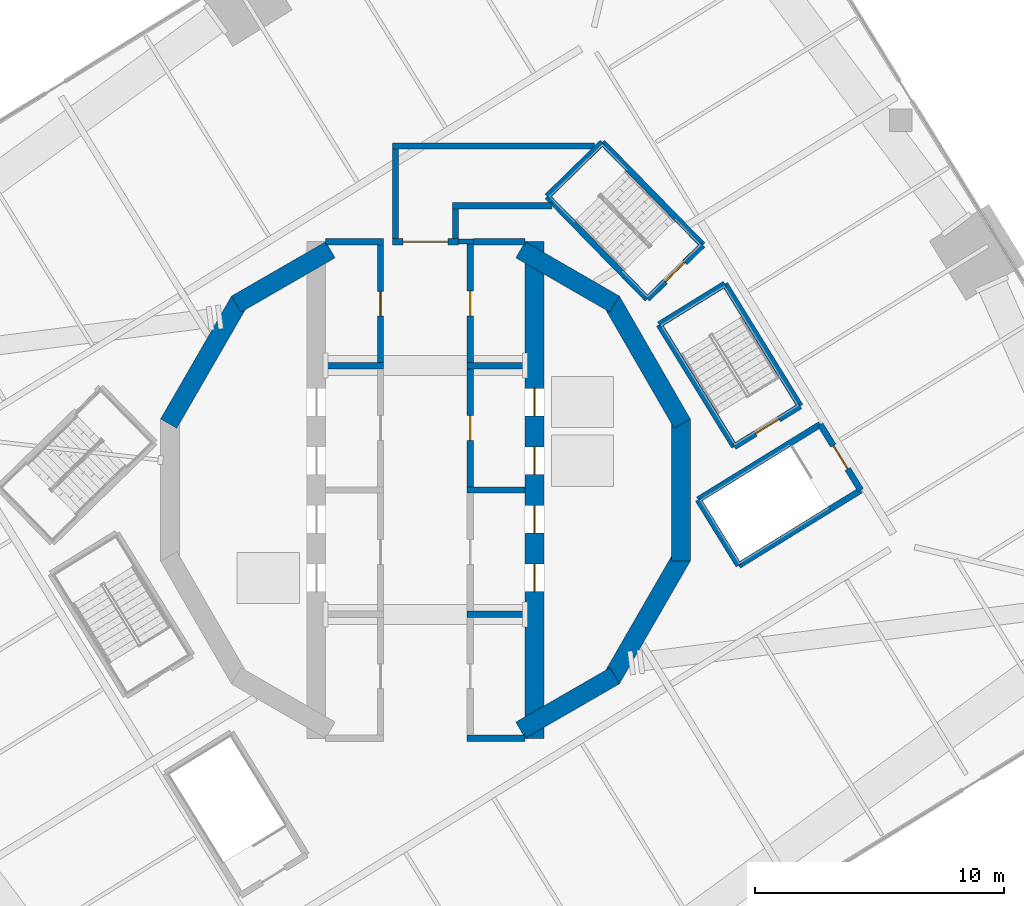
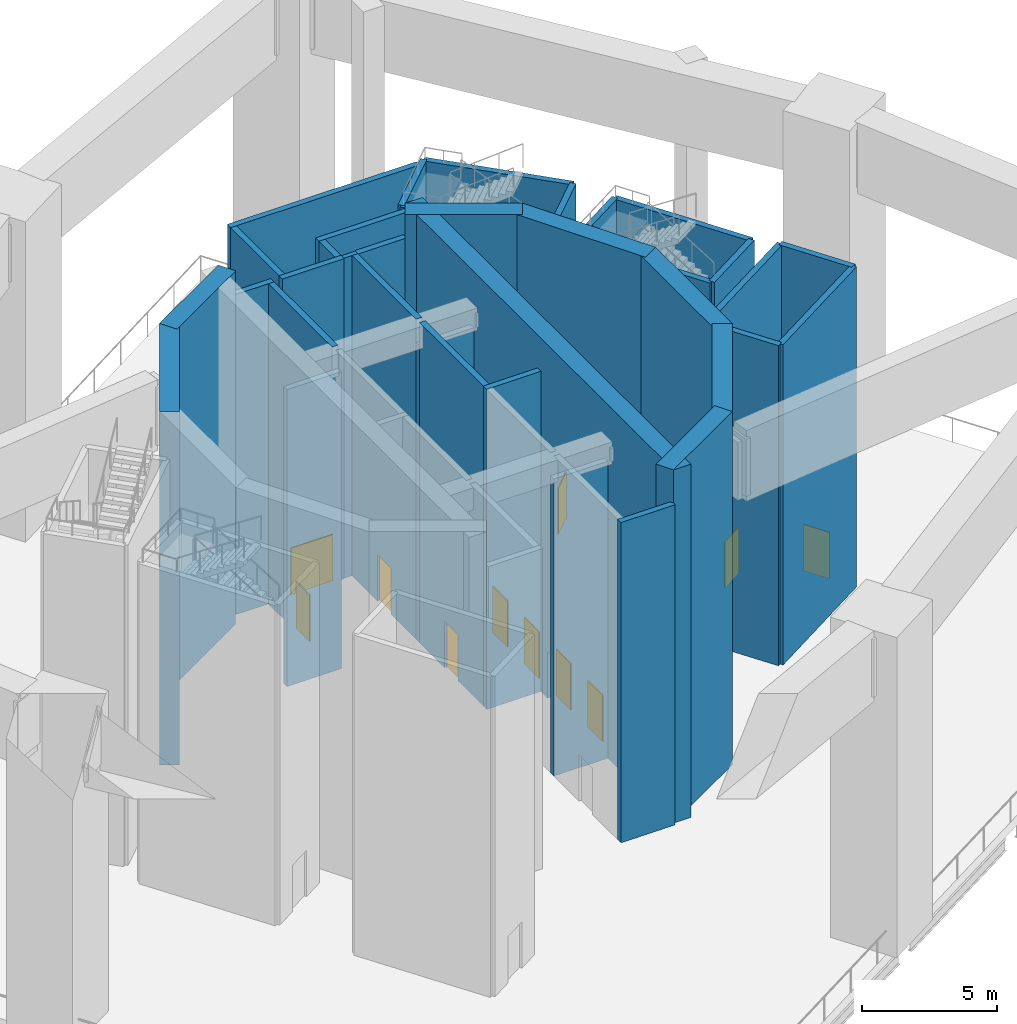
# One storey, part 4 of 15: 36 walls, 11 doors, 11 openings.
"""IFC4 building model written with IfcOpenShell, lengths in metres."""

from ifc_helpers import new_model, si_unit, direction, frame, frame_2d, origin, place, context, subcontext, project, spatial, rectangle, extrude, material, layer, layer_set, type_object, element, fill, save


model = new_model("IFC4")

# Units and contexts
model_context = context("Model", 3, precision=1e-05, world=origin(), true_north=direction((0.0, 1.0)))
body_context = subcontext(model_context, "Body", "Model", "MODEL_VIEW")
ifc_project = project(units=[si_unit("LENGTHUNIT", "METRE"), si_unit("AREAUNIT", "SQUARE_METRE"), si_unit("VOLUMEUNIT", "CUBIC_METRE"), si_unit("PLANEANGLEUNIT", "RADIAN"), si_unit("MASSUNIT", "GRAM", prefix="KILO")], contexts=[model_context])

# Site, building, storey
site_placement = place(None, origin())
site = spatial("IfcSite", under=ifc_project, at=site_placement, CompositionType="ELEMENT")
building_placement = place(site_placement, origin())
building = spatial("IfcBuilding", under=site, at=building_placement, Name="Cantera Rosa Tower", CompositionType="ELEMENT")
storey_placement = place(building_placement, frame((0.0, 0.0, 189.39990234375)))
storey = spatial("IfcBuildingStorey", under=building, at=storey_placement, Name="L42", CompositionType="ELEMENT", Elevation=189.39990234375)

# Walls
ifc_material_1 = material(Name="Masonry blockwork", Category="masonry")
ifc_layer_1 = layer(ifc_material_1, 0.199951171875)
ifc_layer_set_1 = layer_set([ifc_layer_1], Name="Blockwork partition 200")
wall_type_1 = type_object("IfcWallType", Name="Blockwork partition 200", PredefinedType="PARTITIONING", material=ifc_layer_set_1)
wall_1_placement = place(storey_placement, frame((1.324951171875, 9.9599609375, 0.0), z_axis=(0.0, 0.0, 1.0), x_axis=(1.0, 0.0, 0.0)))
element("IfcWall", 1, at=wall_1_placement, inside=storey, type_object=wall_type_1, Name="Partition L42-11", PredefinedType="PARTITIONING", context=body_context, shape_type="SweptSolid", body=[
    extrude(rectangle(XDim=0.60009765625, YDim=0.199951171875, at=frame_2d((0.300048828125, 0.0))), origin(), (0.0, 0.0, 1.0), 14.5),
])
ifc_material_2 = material(Name="Concrete C50/60", Category="concrete")
ifc_layer_2 = layer(ifc_material_2, 0.25)
ifc_layer_set_2 = layer_set([ifc_layer_2], Name="External stair wall 250")
wall_type_2 = type_object("IfcWallType", Name="External stair wall 250", PredefinedType="SOLIDWALL", material=ifc_layer_set_2)
wall_2_placement = place(storey_placement, frame((-1.324951171875, 13.799560546875, 0.0), z_axis=(0.0, 0.0, 1.0), x_axis=(1.0, 0.0, 0.0)))
element("IfcWall", 2, at=wall_2_placement, inside=storey, type_object=wall_type_2, Name="Fire wall L42-22", PredefinedType="PARTITIONING", context=body_context, shape_type="SweptSolid", body=[
    extrude(rectangle(XDim=8.10205078125, YDim=0.25, at=frame_2d((4.051025390625, 0.0))), origin(), (0.0, 0.0, 1.0), 14.5),
])
wall_3_placement = place(storey_placement, frame((1.074951171875, 11.3994140625, 0.0), z_axis=(0.0, 0.0, 1.0), x_axis=(1.0, 0.0, 0.0)))
element("IfcWall", 3, at=wall_3_placement, inside=storey, type_object=wall_type_2, Name="Fire wall L42-23", PredefinedType="PARTITIONING", context=body_context, shape_type="SweptSolid", body=[
    extrude(rectangle(XDim=3.99755859375, YDim=0.25, at=frame_2d((1.998779296875, 0.0))), origin(), (0.0, 0.0, 1.0), 14.5),
])
ifc_material_3 = material(Name="Masonry blockwork", Category="masonry")
ifc_layer_3 = layer(ifc_material_3, 0.25)
ifc_layer_set_3 = layer_set([ifc_layer_3], Name="Fire-rated external wall 250")
wall_type_3 = type_object("IfcWallType", Name="Fire-rated external wall 250", PredefinedType="PARTITIONING", material=ifc_layer_set_3)
wall_4_placement = place(storey_placement, frame((1.925048828125, 9.9599609375, 0.0), z_axis=(0.0, 0.0, 1.0), x_axis=(1.0, 0.0, 0.0)))
element("IfcWall", 4, at=wall_4_placement, inside=storey, type_object=wall_type_3, Name="Fire wall L42-12", PredefinedType="PARTITIONING", context=body_context, shape_type="SweptSolid", body=[
    extrude(rectangle(XDim=2.074951171875, YDim=0.25, at=frame_2d((1.03759765625, 0.0))), origin(), (0.0, 0.0, 1.0), 14.5),
])
wall_5_placement = place(storey_placement, frame((-1.199951171875, 10.0849609375, 0.0), z_axis=(0.0, 0.0, 1.0), x_axis=(0.0, 1.0, 0.0)))
element("IfcWall", 5, at=wall_5_placement, inside=storey, type_object=wall_type_3, Name="Fire wall L42-21", PredefinedType="PARTITIONING", context=body_context, shape_type="SweptSolid", body=[
    extrude(rectangle(XDim=3.589599609375, YDim=0.25, at=frame_2d((1.794921875, 0.0))), origin(), (0.0, 0.0, 1.0), 14.5),
])
wall_6_placement = place(storey_placement, frame((1.199951171875, 10.0849609375, 0.0), z_axis=(0.0, 0.0, 1.0), x_axis=(0.0, 1.0, 0.0)))
element("IfcWall", 6, at=wall_6_placement, inside=storey, type_object=wall_type_3, Name="Fire wall L42-24", PredefinedType="PARTITIONING", context=body_context, shape_type="SweptSolid", body=[
    extrude(rectangle(XDim=1.189453125, YDim=0.25, at=frame_2d((0.5947265625, 0.0))), origin(), (0.0, 0.0, 1.0), 14.5),
])

# Wall, opening, door
ifc_material_4 = material(Name="Masonry blockwork", Category="masonry")
ifc_layer_4 = layer(ifc_material_4, 0.25)
ifc_layer_set_4 = layer_set([ifc_layer_4], Name="Fire-rated wall 250")
wall_type_4 = type_object("IfcWallType", Name="Fire-rated wall 250", PredefinedType="PARTITIONING", material=ifc_layer_set_4)
wall_7_placement = place(storey_placement, frame((-1.800048828125, 5.10498046875, 0.0), z_axis=(0.0, 0.0, 1.0), x_axis=(0.0, 1.0, 0.0)))
wall_7 = element("IfcWall", 7, at=wall_7_placement, inside=storey, type_object=wall_type_4, Name="Fire wall L42-4", PredefinedType="PARTITIONING", context=body_context, shape_type="SweptSolid", body=[
    extrude(rectangle(XDim=4.72998046875, YDim=0.25, at=frame_2d((2.364990234375, 0.0))), origin(), (0.0, 0.0, 1.0), 14.5),
])
opening_1_placement = place(wall_7_placement, frame((1.864990234375, 0.0, 0.0)))
opening_1 = element("IfcOpeningElement", 8, at=opening_1_placement, cuts=wall_7, Name="Opening L42-006", PredefinedType="OPENING", context=body_context, shape_type="SweptSolid", body=[
    extrude(rectangle(XDim=1.0, YDim=2.10009765625, at=frame_2d((0.5, 1.050048828125))), frame((0.0, 0.135009765625, 0.0), z_axis=(0.0, -1.0, 0.0), x_axis=(1.0, 0.0, 0.0)), (0.0, 0.0, 1.0), 0.27001953125),
])
ifc_material_5 = material(Name="Steel S355J2 (EN 10025-2)", Category="steel")
door_type_1 = type_object("IfcDoorType", Name="Fire door 1000x2100", OperationType="NOTDEFINED", PredefinedType="DOOR", material=ifc_material_5)
door_1_placement = place(opening_1_placement, origin())
door_1 = element("IfcDoor", 9, at=door_1_placement, inside=storey, type_object=door_type_1, Name="Door L42-006", OverallHeight=2.10009765625, OverallWidth=1.0, PredefinedType="DOOR", context=body_context, shape_type="SweptSolid", body=[
    extrude(rectangle(XDim=1.0, YDim=2.10009765625, at=frame_2d((0.5, 1.050048828125))), frame((0.0, 0.02490234375, 0.0), z_axis=(0.0, -1.0, 0.0), x_axis=(1.0, 0.0, 0.0)), (0.0, 0.0, 1.0), 0.050048828125),
])
fill(opening_1, door_1)

# Walls
for number, where, z_axis, x_axis, name in (
    (10, (1.675048828125, -9.9599609375, 0.0), (0.0, 0.0, 1.0), (1.0, 0.0, 0.0), "Fire wall L42-8"),
    (11, (-4.0, 9.9599609375, 0.0), (0.0, 0.0, 1.0), (1.0, 0.0, 0.0), "Fire wall L42-9"),
):
    element("IfcWall", number, at=place(storey_placement, frame(where, z_axis=z_axis, x_axis=x_axis)), inside=storey, type_object=wall_type_4, Name=name, PredefinedType="PARTITIONING", context=body_context, shape_type="SweptSolid", body=[
        extrude(rectangle(XDim=2.324951171875, YDim=0.25, at=frame_2d((1.16259765625, 0.0))), origin(), (0.0, 0.0, 1.0), 14.5),
    ])

# Wall, opening, door
wall_8_placement = place(storey_placement, frame((-1.324951171875, 9.9599609375, 0.0), z_axis=(0.0, 0.0, 1.0), x_axis=(1.0, 0.0, 0.0)))
wall_8 = element("IfcWall", 12, at=wall_8_placement, inside=storey, type_object=wall_type_4, Name="Fire wall L42-10", PredefinedType="PARTITIONING", context=body_context, shape_type="SweptSolid", body=[
    extrude(rectangle(XDim=2.64990234375, YDim=0.25, at=frame_2d((1.324951171875, 0.0))), origin(), (0.0, 0.0, 1.0), 14.5),
])
opening_2_placement = place(wall_8_placement, frame((0.425048828125, 0.0, 0.0)))
opening_2 = element("IfcOpeningElement", 13, at=opening_2_placement, cuts=wall_8, Name="Opening L42-009", PredefinedType="OPENING", context=body_context, shape_type="SweptSolid", body=[
    extrude(rectangle(XDim=1.800048828125, YDim=2.10009765625, at=frame_2d((0.89990234375, 1.050048828125))), frame((0.0, 0.135009765625, 0.0), z_axis=(0.0, -1.0, 0.0), x_axis=(1.0, 0.0, 0.0)), (0.0, 0.0, 1.0), 0.27001953125),
])
ifc_material_6 = material(Name="Steel S355J2 (EN 10025-2)", Category="steel")
door_type_2 = type_object("IfcDoorType", Name="Fire double door 1800x2100", OperationType="NOTDEFINED", PredefinedType="DOOR", material=ifc_material_6)
door_2_placement = place(opening_2_placement, origin())
door_2 = element("IfcDoor", 14, at=door_2_placement, inside=storey, type_object=door_type_2, Name="Door L42-009", OperationType="DOUBLE_DOOR_SINGLE_SWING", OverallHeight=2.10009765625, OverallWidth=1.800048828125, PredefinedType="DOOR", context=body_context, shape_type="SweptSolid", body=[
    extrude(rectangle(XDim=1.800048828125, YDim=2.10009765625, at=frame_2d((0.89990234375, 1.050048828125))), frame((0.0, 0.02490234375, 0.0), z_axis=(0.0, -1.0, 0.0), x_axis=(1.0, 0.0, 0.0)), (0.0, 0.0, 1.0), 0.050048828125),
])
fill(opening_2, door_2)

wall_9_placement = place(storey_placement, frame((1.800048828125, 0.125, 0.0), z_axis=(0.0, 0.0, 1.0), x_axis=(0.0, 1.0, 0.0)))
wall_9 = element("IfcWall", 15, at=wall_9_placement, inside=storey, type_object=wall_type_4, Name="Fire wall L42-17", PredefinedType="PARTITIONING", context=body_context, shape_type="SweptSolid", body=[
    extrude(rectangle(XDim=4.72998046875, YDim=0.25, at=frame_2d((2.364990234375, 0.0))), origin(), (0.0, 0.0, 1.0), 14.5),
])
opening_3_placement = place(wall_9_placement, frame((1.864990234375, 0.0, 0.0)))
opening_3 = element("IfcOpeningElement", 16, at=opening_3_placement, cuts=wall_9, Name="Opening L42-004", PredefinedType="OPENING", context=body_context, shape_type="SweptSolid", body=[
    extrude(rectangle(XDim=1.0, YDim=2.10009765625, at=frame_2d((0.5, 1.050048828125))), frame((0.0, 0.135009765625, 0.0), z_axis=(0.0, -1.0, 0.0), x_axis=(1.0, 0.0, 0.0)), (0.0, 0.0, 1.0), 0.27001953125),
])
door_3_placement = place(opening_3_placement, origin())
door_3 = element("IfcDoor", 17, at=door_3_placement, inside=storey, type_object=door_type_1, Name="Door L42-004", OverallHeight=2.10009765625, OverallWidth=1.0, PredefinedType="DOOR", context=body_context, shape_type="SweptSolid", body=[
    extrude(rectangle(XDim=1.0, YDim=2.10009765625, at=frame_2d((0.5, 1.050048828125))), frame((0.0, 0.02490234375, 0.0), z_axis=(0.0, -1.0, 0.0), x_axis=(1.0, 0.0, 0.0)), (0.0, 0.0, 1.0), 0.050048828125),
])
fill(opening_3, door_3)

wall_10_placement = place(storey_placement, frame((1.800048828125, 5.10498046875, 0.0), z_axis=(0.0, 0.0, 1.0), x_axis=(0.0, 1.0, 0.0)))
wall_10 = element("IfcWall", 18, at=wall_10_placement, inside=storey, type_object=wall_type_4, Name="Fire wall L42-18", PredefinedType="PARTITIONING", context=body_context, shape_type="SweptSolid", body=[
    extrude(rectangle(XDim=4.755126953125, YDim=0.25, at=frame_2d((2.37744140625, 0.0))), origin(), (0.0, 0.0, 1.0), 14.5),
])
opening_4_placement = place(wall_10_placement, frame((1.87744140625, 0.0, 0.0)))
opening_4 = element("IfcOpeningElement", 19, at=opening_4_placement, cuts=wall_10, Name="Opening L42-008", PredefinedType="OPENING", context=body_context, shape_type="SweptSolid", body=[
    extrude(rectangle(XDim=1.0, YDim=2.10009765625, at=frame_2d((0.5, 1.050048828125))), frame((0.0, 0.135009765625, 0.0), z_axis=(0.0, -1.0, 0.0), x_axis=(1.0, 0.0, 0.0)), (0.0, 0.0, 1.0), 0.27001953125),
])
door_4_placement = place(opening_4_placement, origin())
door_4 = element("IfcDoor", 20, at=door_4_placement, inside=storey, type_object=door_type_1, Name="Door L42-008", OverallHeight=2.10009765625, OverallWidth=1.0, PredefinedType="DOOR", context=body_context, shape_type="SweptSolid", body=[
    extrude(rectangle(XDim=1.0, YDim=2.10009765625, at=frame_2d((0.5, 1.050048828125))), frame((0.0, 0.02490234375, 0.0), z_axis=(0.0, -1.0, 0.0), x_axis=(1.0, 0.0, 0.0)), (0.0, 0.0, 1.0), 0.050048828125),
])
fill(opening_4, door_4)

# Walls
wall_11_placement = place(storey_placement, frame((1.675048828125, 0.0, 0.0), z_axis=(0.0, 0.0, 1.0), x_axis=(1.0, 0.0, 0.0)))
element("IfcWall", 21, at=wall_11_placement, inside=storey, type_object=wall_type_4, Name="Fire wall L42-20", PredefinedType="PARTITIONING", context=body_context, shape_type="SweptSolid", body=[
    extrude(rectangle(XDim=2.324951171875, YDim=0.25, at=frame_2d((1.16259765625, 0.0))), origin(), (0.0, 0.0, 1.0), 14.5),
])
ifc_material_7 = material(Name="Masonry blockwork", Category="masonry")
ifc_layer_5 = layer(ifc_material_7, 0.25)
ifc_layer_set_5 = layer_set([ifc_layer_5], Name="Fire-rated wall 250 H13450")
wall_type_5 = type_object("IfcWallType", Name="Fire-rated wall 250 H13450", PredefinedType="PARTITIONING", material=ifc_layer_set_5)
for number, where, z_axis, x_axis, name in (
    (22, (1.675048828125, -4.97998046875, 0.0), (0.0, 0.0, 1.0), (1.0, 0.0, 0.0), "Fire wall L42-6"),
    (23, (-4.0, 4.97998046875, 0.0), (0.0, 0.0, 1.0), (1.0, 0.0, 0.0), "Fire wall L42-13"),
    (24, (1.675048828125, 4.97998046875, 0.0), (0.0, 0.0, 1.0), (1.0, 0.0, 0.0), "Fire wall L42-14"),
):
    element("IfcWall", number, at=place(storey_placement, frame(where, z_axis=z_axis, x_axis=x_axis)), inside=storey, type_object=wall_type_5, Name=name, PredefinedType="PARTITIONING", context=body_context, shape_type="SweptSolid", body=[
        extrude(rectangle(XDim=2.324951171875, YDim=0.25, at=frame_2d((1.16259765625, 0.0))), origin(), (0.0, 0.0, 1.0), 13.4501953125),
    ])
ifc_material_8 = material(Name="Concrete C60/75", Category="concrete")
ifc_layer_6 = layer(ifc_material_8, 0.75)
ifc_layer_set_6 = layer_set([ifc_layer_6], Name="RC CORE WALL 750 C60/75")
wall_type_6 = type_object("IfcWallType", Name="RC CORE WALL 750 C60/75", PredefinedType="SHEAR", material=ifc_layer_set_6)
wall_12_placement = place(storey_placement, frame((-10.300537109375, 2.659423828125, 0.0), z_axis=(0.0, 0.0, 1.0), x_axis=(0.500021842983, 0.866012792365, 0.0)))
element("IfcWall", 25, at=wall_12_placement, inside=storey, type_object=wall_type_6, Name="CW-W4 L42", PredefinedType="SHEAR", context=body_context, shape_type="SweptSolid", body=[
    extrude(rectangle(XDim=5.694091796875, YDim=0.75, at=frame_2d((2.84716796875, 0.0))), origin(), (0.0, 0.0, 1.0), 16.0),
])
for number, where, z_axis, x_axis, name in (
    (26, (-7.590576171875, 7.453369140625, 0.0), (0.0, 0.0, 1.0), (0.866013176292, 0.50002117804, 0.0), "CW-W5 L42"),
    (27, (3.8125, 9.634765625, 0.0), (0.0, 0.0, 1.0), (0.866013176292, -0.50002117804, 0.0), "CW-E1 L42"),
):
    element("IfcWall", number, at=place(storey_placement, frame(where, z_axis=z_axis, x_axis=x_axis)), inside=storey, type_object=wall_type_6, Name=name, PredefinedType="SHEAR", context=body_context, shape_type="SweptSolid", body=[
        extrude(rectangle(XDim=4.362548828125, YDim=0.75, at=frame_2d((2.18115234375, 0.0))), origin(), (0.0, 0.0, 1.0), 16.0),
    ])
wall_13_placement = place(storey_placement, frame((7.453369140625, 7.590576171875, 0.0), z_axis=(0.0, 0.0, 1.0), x_axis=(0.500021842983, -0.866012792365, 0.0)))
element("IfcWall", 28, at=wall_13_placement, inside=storey, type_object=wall_type_6, Name="CW-E2 L42", PredefinedType="SHEAR", context=body_context, shape_type="SweptSolid", body=[
    extrude(rectangle(XDim=5.694091796875, YDim=0.75, at=frame_2d((2.84716796875, 0.0))), origin(), (0.0, 0.0, 1.0), 16.0),
])
wall_14_placement = place(storey_placement, frame((10.250244140625, 2.846923828125, 0.0), z_axis=(0.0, 0.0, 1.0), x_axis=(0.0, -1.0, 0.0)))
element("IfcWall", 29, at=wall_14_placement, inside=storey, type_object=wall_type_6, Name="CW-E3 L42", PredefinedType="SHEAR", context=body_context, shape_type="SweptSolid", body=[
    extrude(rectangle(XDim=5.69384765625, YDim=0.75, at=frame_2d((2.846923828125, 0.0))), origin(), (0.0, 0.0, 1.0), 16.0),
])
wall_15_placement = place(storey_placement, frame((10.300537109375, -2.659423828125, 0.0), z_axis=(0.0, 0.0, 1.0), x_axis=(-0.500021842983, -0.866012792365, 0.0)))
element("IfcWall", 30, at=wall_15_placement, inside=storey, type_object=wall_type_6, Name="CW-E4 L42", PredefinedType="SHEAR", context=body_context, shape_type="SweptSolid", body=[
    extrude(rectangle(XDim=5.694091796875, YDim=0.75, at=frame_2d((2.84716796875, 0.0))), origin(), (0.0, 0.0, 1.0), 16.0),
])
wall_16_placement = place(storey_placement, frame((7.590576171875, -7.453369140625, 0.0), z_axis=(0.0, 0.0, 1.0), x_axis=(-0.866013176292, -0.50002117804, 0.0)))
element("IfcWall", 31, at=wall_16_placement, inside=storey, type_object=wall_type_6, Name="CW-E5 L42", PredefinedType="SHEAR", context=body_context, shape_type="SweptSolid", body=[
    extrude(rectangle(XDim=4.362548828125, YDim=0.75, at=frame_2d((2.18115234375, 0.0))), origin(), (0.0, 0.0, 1.0), 16.0),
])

# Wall, openings, doors
wall_17_placement = place(storey_placement, frame((4.375, -9.95947265625, 0.0), z_axis=(0.0, 0.0, 1.0), x_axis=(0.0, 1.0, 0.0)))
wall_17 = element("IfcWall", 32, at=wall_17_placement, inside=storey, type_object=wall_type_6, Name="CW-E6 L42", PredefinedType="SHEAR", context=body_context, shape_type="SweptSolid", body=[
    extrude(rectangle(XDim=19.9189453125, YDim=0.75, at=frame_2d((9.95947265625, 0.0))), origin(), (0.0, 0.0, 1.0), 16.0),
])
opening_5_placement = place(wall_17_placement, frame((5.884521484375, 0.0, 0.0)))
opening_5 = element("IfcOpeningElement", 33, at=opening_5_placement, cuts=wall_17, Name="Opening LD-FF1-L42", PredefinedType="OPENING", context=body_context, shape_type="SweptSolid", body=[
    extrude(rectangle(XDim=1.10009765625, YDim=2.10009765625, at=frame_2d((0.550048828125, 1.050048828125))), frame((0.0, 0.385009765625, 0.0), z_axis=(0.0, -1.0, 0.0), x_axis=(1.0, 0.0, 0.0)), (0.0, 0.0, 1.0), 0.77001953125),
])
opening_6_placement = place(wall_17_placement, frame((8.234619140625, 0.0, 0.0)))
opening_6 = element("IfcOpeningElement", 34, at=opening_6_placement, cuts=wall_17, Name="Opening LD-FF2-L42", PredefinedType="OPENING", context=body_context, shape_type="SweptSolid", body=[
    extrude(rectangle(XDim=1.10009765625, YDim=2.10009765625, at=frame_2d((0.550048828125, 1.050048828125))), frame((0.0, 0.385009765625, 0.0), z_axis=(0.0, -1.0, 0.0), x_axis=(1.0, 0.0, 0.0)), (0.0, 0.0, 1.0), 0.77001953125),
])
opening_7_placement = place(wall_17_placement, frame((10.58447265625, 0.0, 0.0)))
opening_7 = element("IfcOpeningElement", 35, at=opening_7_placement, cuts=wall_17, Name="Opening LD-P1-L42", PredefinedType="OPENING", context=body_context, shape_type="SweptSolid", body=[
    extrude(rectangle(XDim=1.10009765625, YDim=2.10009765625, at=frame_2d((0.550048828125, 1.050048828125))), frame((0.0, 0.385009765625, 0.0), z_axis=(0.0, -1.0, 0.0), x_axis=(1.0, 0.0, 0.0)), (0.0, 0.0, 1.0), 0.77001953125),
])
opening_8_placement = place(wall_17_placement, frame((12.9345703125, 0.0, 0.0)))
opening_8 = element("IfcOpeningElement", 36, at=opening_8_placement, cuts=wall_17, Name="Opening LD-P2-L42", PredefinedType="OPENING", context=body_context, shape_type="SweptSolid", body=[
    extrude(rectangle(XDim=1.10009765625, YDim=2.10009765625, at=frame_2d((0.550048828125, 1.050048828125))), frame((0.0, 0.385009765625, 0.0), z_axis=(0.0, -1.0, 0.0), x_axis=(1.0, 0.0, 0.0)), (0.0, 0.0, 1.0), 0.77001953125),
])
ifc_material_9 = material(Name="Steel S355J2 (EN 10025-2)", Category="steel")
door_type_3 = type_object("IfcDoorType", Name="LANDING DOOR 1100x2100", OperationType="NOTDEFINED", PredefinedType="DOOR", material=ifc_material_9)
door_5_placement = place(opening_5_placement, origin())
door_5 = element("IfcDoor", 37, at=door_5_placement, inside=storey, type_object=door_type_3, Name="LANDING DOOR FF1 L42", OperationType="SLIDING_TO_LEFT", OverallHeight=2.10009765625, OverallWidth=1.10009765625, PredefinedType="DOOR", context=body_context, shape_type="SweptSolid", body=[
    extrude(rectangle(XDim=1.10009765625, YDim=2.10009765625, at=frame_2d((0.550048828125, 1.050048828125))), frame((0.0, 0.02490234375, 0.0), z_axis=(0.0, -1.0, 0.0), x_axis=(1.0, 0.0, 0.0)), (0.0, 0.0, 1.0), 0.050048828125),
])
fill(opening_5, door_5)
door_6_placement = place(opening_6_placement, origin())
door_6 = element("IfcDoor", 38, at=door_6_placement, inside=storey, type_object=door_type_3, Name="LANDING DOOR FF2 L42", OperationType="SLIDING_TO_LEFT", OverallHeight=2.10009765625, OverallWidth=1.10009765625, PredefinedType="DOOR", context=body_context, shape_type="SweptSolid", body=[
    extrude(rectangle(XDim=1.10009765625, YDim=2.10009765625, at=frame_2d((0.550048828125, 1.050048828125))), frame((0.0, 0.02490234375, 0.0), z_axis=(0.0, -1.0, 0.0), x_axis=(1.0, 0.0, 0.0)), (0.0, 0.0, 1.0), 0.050048828125),
])
fill(opening_6, door_6)
door_7_placement = place(opening_7_placement, origin())
door_7 = element("IfcDoor", 39, at=door_7_placement, inside=storey, type_object=door_type_3, Name="LANDING DOOR P1 L42", OperationType="SLIDING_TO_LEFT", OverallHeight=2.10009765625, OverallWidth=1.10009765625, PredefinedType="DOOR", context=body_context, shape_type="SweptSolid", body=[
    extrude(rectangle(XDim=1.10009765625, YDim=2.10009765625, at=frame_2d((0.550048828125, 1.050048828125))), frame((0.0, 0.02490234375, 0.0), z_axis=(0.0, -1.0, 0.0), x_axis=(1.0, 0.0, 0.0)), (0.0, 0.0, 1.0), 0.050048828125),
])
fill(opening_7, door_7)
door_8_placement = place(opening_8_placement, origin())
door_8 = element("IfcDoor", 40, at=door_8_placement, inside=storey, type_object=door_type_3, Name="LANDING DOOR P2 L42", OperationType="SLIDING_TO_LEFT", OverallHeight=2.10009765625, OverallWidth=1.10009765625, PredefinedType="DOOR", context=body_context, shape_type="SweptSolid", body=[
    extrude(rectangle(XDim=1.10009765625, YDim=2.10009765625, at=frame_2d((0.550048828125, 1.050048828125))), frame((0.0, 0.02490234375, 0.0), z_axis=(0.0, -1.0, 0.0), x_axis=(1.0, 0.0, 0.0)), (0.0, 0.0, 1.0), 0.050048828125),
])
fill(opening_8, door_8)

# Wall, opening, door
ifc_material_10 = material(Name="Concrete C50/60", Category="concrete")
ifc_layer_7 = layer(ifc_material_10, 0.25)
ifc_layer_set_7 = layer_set([ifc_layer_7], Name="RC stair wall 250 C50/60")
wall_type_7 = type_object("IfcWallType", Name="RC stair wall 250", PredefinedType="SOLIDWALL", material=ifc_layer_set_7)
wall_18_placement = place(storey_placement, frame((15.028564453125, 3.36669921875, 0.0), z_axis=(0.0, 0.0, 1.0), x_axis=(-0.851111635158, -0.52498474692, 0.0)))
wall_18 = element("IfcWall", 41, at=wall_18_placement, inside=storey, type_object=wall_type_7, Name="STAIR WALL ST-41 L42-11", PredefinedType="SOLIDWALL", context=body_context, shape_type="SweptSolid", body=[
    extrude(rectangle(XDim=3.10009765625, YDim=0.25, at=frame_2d((1.550048828125, 0.0))), origin(), (0.0, 0.0, 1.0), 14.5),
])
opening_9_placement = place(wall_18_placement, frame((1.0, 0.0, 0.0)))
opening_9 = element("IfcOpeningElement", 42, at=opening_9_placement, cuts=wall_18, Name="Opening L42-ST-41", PredefinedType="OPENING", context=body_context, shape_type="SweptSolid", body=[
    extrude(rectangle(XDim=1.10009765625, YDim=2.10009765625, at=frame_2d((0.550048828125, 1.050048828125))), frame((0.0, 0.135009765625, 0.0), z_axis=(0.0, -1.0, 0.0), x_axis=(1.0, 0.0, 0.0)), (0.0, 0.0, 1.0), 0.27001953125),
])
ifc_material_11 = material(Name="Steel S355J2 (EN 10025-2)", Category="steel")
door_type_4 = type_object("IfcDoorType", Name="STAIR DOOR 1100x2100", OperationType="NOTDEFINED", PredefinedType="DOOR", material=ifc_material_11)
door_9_placement = place(opening_9_placement, origin())
door_9 = element("IfcDoor", 43, at=door_9_placement, inside=storey, type_object=door_type_4, Name="DOOR L42-ST-41", OperationType="NOTDEFINED", OverallHeight=2.10009765625, OverallWidth=1.10009765625, PredefinedType="DOOR", context=body_context, shape_type="SweptSolid", body=[
    extrude(rectangle(XDim=1.10009765625, YDim=2.10009765625, at=frame_2d((0.550048828125, 1.050048828125))), frame((0.0, 0.02490234375, 0.0), z_axis=(0.0, -1.0, 0.0), x_axis=(1.0, 0.0, 0.0)), (0.0, 0.0, 1.0), 0.050048828125),
])
fill(opening_9, door_9)

# Walls
wall_19_placement = place(storey_placement, frame((12.39013671875, 1.7392578125, 0.0), z_axis=(0.0, 0.0, 1.0), x_axis=(-0.524959451453, 0.85112723745, 0.0)))
element("IfcWall", 44, at=wall_19_placement, inside=storey, type_object=wall_type_7, Name="STAIR WALL ST-41 L42-21", PredefinedType="SOLIDWALL", context=body_context, shape_type="SweptSolid", body=[
    extrude(rectangle(XDim=5.75, YDim=0.25, at=frame_2d((2.875, 0.0))), origin(), (0.0, 0.0, 1.0), 14.5),
])
wall_20_placement = place(storey_placement, frame((9.37158203125, 6.63330078125, 0.0), z_axis=(0.0, 0.0, 1.0), x_axis=(0.851111635158, 0.52498474692, 0.0)))
element("IfcWall", 45, at=wall_20_placement, inside=storey, type_object=wall_type_7, Name="STAIR WALL ST-41 L42-31", PredefinedType="SOLIDWALL", context=body_context, shape_type="SweptSolid", body=[
    extrude(rectangle(XDim=3.10009765625, YDim=0.25, at=frame_2d((1.550048828125, 0.0))), origin(), (0.0, 0.0, 1.0), 14.5),
])
wall_21_placement = place(storey_placement, frame((12.010009765625, 8.2607421875, 0.0), z_axis=(0.0, 0.0, 1.0), x_axis=(0.524959451453, -0.85112723745, 0.0)))
element("IfcWall", 46, at=wall_21_placement, inside=storey, type_object=wall_type_7, Name="STAIR WALL ST-41 L42-41", PredefinedType="SOLIDWALL", context=body_context, shape_type="SweptSolid", body=[
    extrude(rectangle(XDim=5.75, YDim=0.25, at=frame_2d((2.875, 0.0))), origin(), (0.0, 0.0, 1.0), 14.5),
])

# Wall, opening, door
wall_22_placement = place(storey_placement, frame((11.117919921875, 9.82666015625, 0.0), z_axis=(0.0, 0.0, 1.0), x_axis=(-0.715327656128, -0.698789198814, 0.0)))
wall_22 = element("IfcWall", 47, at=wall_22_placement, inside=storey, type_object=wall_type_7, Name="STAIR WALL ST-42 L42-11", PredefinedType="SOLIDWALL", context=body_context, shape_type="SweptSolid", body=[
    extrude(rectangle(XDim=3.10009765625, YDim=0.25, at=frame_2d((1.550048828125, 0.0))), origin(), (0.0, 0.0, 1.0), 14.5),
])
opening_10_placement = place(wall_22_placement, frame((1.0, 0.0, 0.0)))
opening_10 = element("IfcOpeningElement", 48, at=opening_10_placement, cuts=wall_22, Name="Opening L42-ST-42", PredefinedType="OPENING", context=body_context, shape_type="SweptSolid", body=[
    extrude(rectangle(XDim=1.10009765625, YDim=2.10009765625, at=frame_2d((0.550048828125, 1.050048828125))), frame((0.0, 0.135009765625, 0.0), z_axis=(0.0, -1.0, 0.0), x_axis=(1.0, 0.0, 0.0)), (0.0, 0.0, 1.0), 0.27001953125),
])
door_10_placement = place(opening_10_placement, origin())
door_10 = element("IfcDoor", 49, at=door_10_placement, inside=storey, type_object=door_type_4, Name="DOOR L42-ST-42", OperationType="NOTDEFINED", OverallHeight=2.10009765625, OverallWidth=1.10009765625, PredefinedType="DOOR", context=body_context, shape_type="SweptSolid", body=[
    extrude(rectangle(XDim=1.10009765625, YDim=2.10009765625, at=frame_2d((0.550048828125, 1.050048828125))), frame((0.0, 0.02490234375, 0.0), z_axis=(0.0, -1.0, 0.0), x_axis=(1.0, 0.0, 0.0)), (0.0, 0.0, 1.0), 0.050048828125),
])
fill(opening_10, door_10)

# Walls
wall_23_placement = place(storey_placement, frame((8.900390625, 7.660400390625, 0.0), z_axis=(0.0, 0.0, 1.0), x_axis=(-0.698843109594, 0.715274987801, 0.0)))
element("IfcWall", 50, at=wall_23_placement, inside=storey, type_object=wall_type_7, Name="STAIR WALL ST-42 L42-21", PredefinedType="SOLIDWALL", context=body_context, shape_type="SweptSolid", body=[
    extrude(rectangle(XDim=5.75, YDim=0.25, at=frame_2d((2.875, 0.0))), origin(), (0.0, 0.0, 1.0), 14.5),
])
wall_24_placement = place(storey_placement, frame((4.882080078125, 11.773193359375, 0.0), z_axis=(0.0, 0.0, 1.0), x_axis=(0.715288290651, 0.698829493695, 0.0)))
element("IfcWall", 51, at=wall_24_placement, inside=storey, type_object=wall_type_7, Name="STAIR WALL ST-42 L42-31", PredefinedType="SOLIDWALL", context=body_context, shape_type="SweptSolid", body=[
    extrude(rectangle(XDim=3.10009765625, YDim=0.25, at=frame_2d((1.550048828125, 0.0))), origin(), (0.0, 0.0, 1.0), 14.5),
])
wall_25_placement = place(storey_placement, frame((7.099609375, 13.939697265625, 0.0), z_axis=(0.0, 0.0, 1.0), x_axis=(0.698821885846, -0.715295723364, 0.0)))
element("IfcWall", 52, at=wall_25_placement, inside=storey, type_object=wall_type_7, Name="STAIR WALL ST-42 L42-41", PredefinedType="SOLIDWALL", context=body_context, shape_type="SweptSolid", body=[
    extrude(rectangle(XDim=5.75, YDim=0.25, at=frame_2d((2.875, 0.0))), origin(), (0.0, 0.0, 1.0), 14.5),
])

# Wall, opening, door
wall_26_placement = place(storey_placement, frame((15.833251953125, 2.62841796875, 0.0), z_axis=(0.0, 0.0, 1.0), x_axis=(0.52498474692, -0.851111635158, 0.0)))
wall_26 = element("IfcWall", 53, at=wall_26_placement, inside=storey, type_object=wall_type_7, Name="STAIR WALL ST-34 L42-11", PredefinedType="SOLIDWALL", context=body_context, shape_type="SweptSolid", body=[
    extrude(rectangle(XDim=3.10009765625, YDim=0.25, at=frame_2d((1.550048828125, 0.0))), origin(), (0.0, 0.0, 1.0), 14.5),
])
opening_11_placement = place(wall_26_placement, frame((1.0, 0.0, 0.0)))
opening_11 = element("IfcOpeningElement", 54, at=opening_11_placement, cuts=wall_26, Name="Opening L42-ST-34", PredefinedType="OPENING", context=body_context, shape_type="SweptSolid", body=[
    extrude(rectangle(XDim=1.10009765625, YDim=2.10009765625, at=frame_2d((0.550048828125, 1.050048828125))), frame((0.0, 0.135009765625, 0.0), z_axis=(0.0, -1.0, 0.0), x_axis=(1.0, 0.0, 0.0)), (0.0, 0.0, 1.0), 0.27001953125),
])
door_11_placement = place(opening_11_placement, origin())
door_11 = element("IfcDoor", 55, at=door_11_placement, inside=storey, type_object=door_type_4, Name="DOOR L42-ST-34", OperationType="NOTDEFINED", OverallHeight=2.10009765625, OverallWidth=1.10009765625, PredefinedType="DOOR", context=body_context, shape_type="SweptSolid", body=[
    extrude(rectangle(XDim=1.10009765625, YDim=2.10009765625, at=frame_2d((0.550048828125, 1.050048828125))), frame((0.0, 0.02490234375, 0.0), z_axis=(0.0, -1.0, 0.0), x_axis=(1.0, 0.0, 0.0)), (0.0, 0.0, 1.0), 0.050048828125),
])
fill(opening_11, door_11)

# Walls
wall_27_placement = place(storey_placement, frame((17.460693359375, -0.010009765625, 0.0), z_axis=(0.0, 0.0, 1.0), x_axis=(-0.851115535943, -0.524978422868, 0.0)))
element("IfcWall", 56, at=wall_27_placement, inside=storey, type_object=wall_type_7, Name="STAIR WALL ST-34 L42-21", PredefinedType="SOLIDWALL", context=body_context, shape_type="SweptSolid", body=[
    extrude(rectangle(XDim=5.749755859375, YDim=0.25, at=frame_2d((2.875, 0.0))), origin(), (0.0, 0.0, 1.0), 14.5),
])
wall_28_placement = place(storey_placement, frame((12.56689453125, -3.028564453125, 0.0), z_axis=(0.0, 0.0, 1.0), x_axis=(-0.525041793222, 0.85107644508, 0.0)))
element("IfcWall", 57, at=wall_28_placement, inside=storey, type_object=wall_type_7, Name="STAIR WALL ST-34 L42-31", PredefinedType="SOLIDWALL", context=body_context, shape_type="SweptSolid", body=[
    extrude(rectangle(XDim=3.10009765625, YDim=0.25, at=frame_2d((1.550048828125, 0.0))), origin(), (0.0, 0.0, 1.0), 14.5),
])
wall_29_placement = place(storey_placement, frame((10.939208984375, -0.39013671875, 0.0), z_axis=(0.0, 0.0, 1.0), x_axis=(0.85112723745, 0.524959451453, 0.0)))
element("IfcWall", 58, at=wall_29_placement, inside=storey, type_object=wall_type_7, Name="STAIR WALL ST-34 L42-41", PredefinedType="SOLIDWALL", context=body_context, shape_type="SweptSolid", body=[
    extrude(rectangle(XDim=5.75, YDim=0.25, at=frame_2d((2.875, 0.0))), origin(), (0.0, 0.0, 1.0), 14.5),
])

save(model, "model.ifc")
